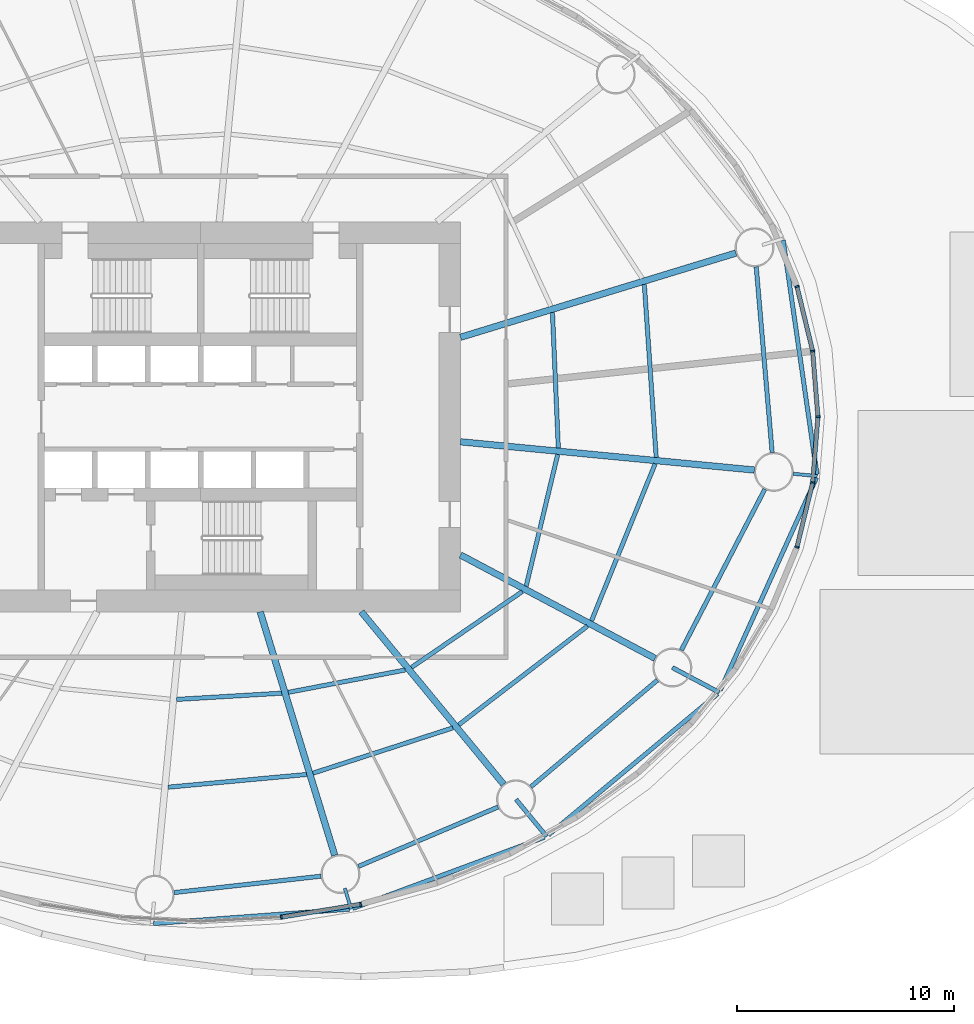
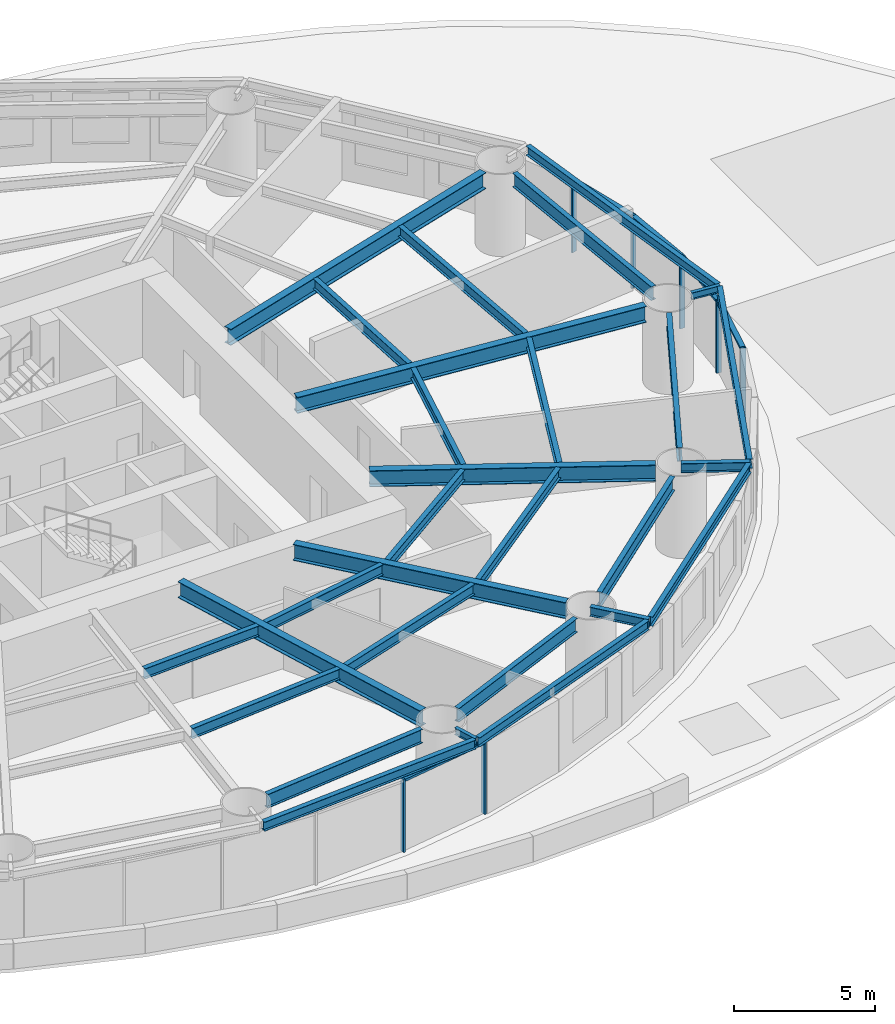
# One storey, part 3 of 11: 29 beams, 12 members, 5 elements without a shape of their own.
"""IFC4 building model written with IfcOpenShell, lengths in metres."""

from ifc_helpers import new_model, si_unit, direction, frame, origin, origin_2d, place, context, subcontext, project, spatial, rectangle, i_section, extrude, material, material_profile, profile_set, type_object, element, aggregate, save


model = new_model("IFC4")

# Units and contexts
model_context = context("Model", 3, precision=1e-05, world=origin(), true_north=direction((0.0, 1.0)))
body_context = subcontext(model_context, "Body", "Model", "MODEL_VIEW")
ifc_project = project(units=[si_unit("LENGTHUNIT", "METRE"), si_unit("AREAUNIT", "SQUARE_METRE"), si_unit("VOLUMEUNIT", "CUBIC_METRE"), si_unit("PLANEANGLEUNIT", "RADIAN"), si_unit("MASSUNIT", "GRAM", prefix="KILO")], contexts=[model_context])

# Site, building, storey
site_placement = place(None, origin())
site = spatial("IfcSite", under=ifc_project, at=site_placement, CompositionType="ELEMENT")
building_placement = place(site_placement, origin())
building = spatial("IfcBuilding", under=site, at=building_placement, Name="Vermilion Reach Broadcast Tower", CompositionType="ELEMENT")
storey_placement = place(building_placement, frame((0.0, 0.0, 36.0)))
storey = spatial("IfcBuildingStorey", under=building, at=storey_placement, Name="L05", CompositionType="ELEMENT", Elevation=36.0)

# Beams
ifc_material_1 = material(Name="Steel S355J2", Category="steel")
ifc_material_profile_1 = material_profile(ifc_material_1, i_section(OverallWidth=0.199951171875, OverallDepth=0.39990234375, WebThickness=0.008056640625, FlangeThickness=0.012939453125, at=origin_2d()), Name="S355J2 HN 400x200x8x13")
ifc_profile_set_1 = profile_set([ifc_material_profile_1], Name="Steel S355J2")
beam_type_1 = type_object("IfcBeamType", Name="EB1 HN 400x200x8x13", PredefinedType="BEAM", material=ifc_profile_set_1)
beam_1_placement = place(storey_placement, frame((-8.173095703125, -23.39306640625, 3.35009765625), z_axis=(0.997329518282, 0.073033088139, 0.0), x_axis=(-0.073033088139, 0.997329518282, 0.0)))
element("IfcBeam", 1, at=beam_1_placement, inside=storey, type_object=beam_type_1, Name="Edge beam EB1-12", PredefinedType="BEAM", context=body_context, shape_type="SweptSolid", body=[
    extrude(i_section(OverallWidth=0.199951171875, OverallDepth=0.39990234375, WebThickness=0.008056640625, FlangeThickness=0.012939453125, at=origin_2d()), origin(), (0.0, 0.0, 1.0), 9.072509765625),
])
beam_2_placement = place(storey_placement, frame((1.0224609375, -22.69873046875, 3.35009765625), z_axis=(0.937481904891, 0.348034018455, 0.0), x_axis=(-0.348034018455, 0.937481904891, 0.0)))
element("IfcBeam", 2, at=beam_2_placement, inside=storey, type_object=beam_type_1, Name="Edge beam EB1-13", PredefinedType="BEAM", context=body_context, shape_type="SweptSolid", body=[
    extrude(i_section(OverallWidth=0.199951171875, OverallDepth=0.39990234375, WebThickness=0.008056640625, FlangeThickness=0.012939453125, at=origin_2d()), origin(), (0.0, 0.0, 1.0), 9.445556640625),
])
beam_3_placement = place(storey_placement, frame((10.053466796875, -19.310546875, 3.35009765625), z_axis=(0.767963452174, 0.640493665952, 0.0), x_axis=(-0.640493665952, 0.767963452174, 0.0)))
element("IfcBeam", 3, at=beam_3_placement, inside=storey, type_object=beam_type_1, Name="Edge beam EB1-14", PredefinedType="BEAM", context=body_context, shape_type="SweptSolid", body=[
    extrude(i_section(OverallWidth=0.199951171875, OverallDepth=0.39990234375, WebThickness=0.008056640625, FlangeThickness=0.012939453125, at=origin_2d()), origin(), (0.0, 0.0, 1.0), 10.170166015625),
])
beam_4_placement = place(storey_placement, frame((17.988037109375, -12.635986328125, 3.35009765625), z_axis=(0.412296695389, 0.911049633649, 0.0), x_axis=(-0.911049633649, 0.412296695389, 0.0)))
element("IfcBeam", 4, at=beam_4_placement, inside=storey, type_object=beam_type_1, Name="Edge beam EB1-15", PredefinedType="BEAM", context=body_context, shape_type="SweptSolid", body=[
    extrude(i_section(OverallWidth=0.199951171875, OverallDepth=0.39990234375, WebThickness=0.008056640625, FlangeThickness=0.012939453125, at=origin_2d()), origin(), (0.0, 0.0, 1.0), 10.787109375),
])
beam_5_placement = place(storey_placement, frame((22.45703125, -2.65966796875, 3.35009765625), z_axis=(-0.142842030525, 0.98974549977, 0.0), x_axis=(-0.98974549977, -0.142842030525, 0.0)))
element("IfcBeam", 5, at=beam_5_placement, inside=storey, type_object=beam_type_1, Name="Edge beam EB1-16", PredefinedType="BEAM", context=body_context, shape_type="SweptSolid", body=[
    extrude(i_section(OverallWidth=0.199951171875, OverallDepth=0.39990234375, WebThickness=0.008056640625, FlangeThickness=0.012939453125, at=origin_2d()), origin(), (0.0, 0.0, 1.0), 10.921630859375),
])
ifc_material_2 = material(Name="Steel S355J2", Category="steel")
ifc_material_profile_2 = material_profile(ifc_material_2, i_section(OverallWidth=0.300048828125, OverallDepth=0.699951171875, WebThickness=0.012939453125, FlangeThickness=0.02392578125, at=origin_2d()), Name="S355J2 HN 700x300x13x24")
ifc_profile_set_2 = profile_set([ifc_material_profile_2], Name="Steel S355J2")
beam_type_2 = type_object("IfcBeamType", Name="G1 HN 700x300x13x24", PredefinedType="BEAM", material=ifc_profile_set_2)
beam_6_placement = place(storey_placement, frame((6.0, 3.671142578125, 3.199951171875), z_axis=(0.956255735186, 0.292531996409, 0.0), x_axis=(-0.292531996409, 0.956255735186, 0.0)))
element("IfcBeam", 6, at=beam_6_placement, inside=storey, type_object=beam_type_2, Name="Girder G1-01", PredefinedType="BEAM", context=body_context, shape_type="SweptSolid", body=[
    extrude(i_section(OverallWidth=0.300048828125, OverallDepth=0.699951171875, WebThickness=0.012939453125, FlangeThickness=0.02392578125, at=origin_2d()), origin(), (0.0, 0.0, 1.0), 13.29638671875),
])
beam_7_placement = place(storey_placement, frame((-3.246826171875, -9.0, 3.199951171875), z_axis=(0.292542302886, -0.95625258223, 0.0), x_axis=(0.95625258223, 0.292542302886, 0.0)))
element("IfcBeam", 7, at=beam_7_placement, inside=storey, type_object=beam_type_2, Name="Girder G1-13", PredefinedType="BEAM", context=body_context, shape_type="SweptSolid", body=[
    extrude(i_section(OverallWidth=0.300048828125, OverallDepth=0.699951171875, WebThickness=0.012939453125, FlangeThickness=0.02392578125, at=origin_2d()), origin(), (0.0, 0.0, 1.0), 11.76220703125),
])
beam_8_placement = place(storey_placement, frame((1.421630859375, -9.0, 3.199951171875), z_axis=(0.636215165107, -0.77151167437, 0.0), x_axis=(0.77151167437, 0.636215165107, 0.0)))
element("IfcBeam", 8, at=beam_8_placement, inside=storey, type_object=beam_type_2, Name="Girder G1-14", PredefinedType="BEAM", context=body_context, shape_type="SweptSolid", body=[
    extrude(i_section(OverallWidth=0.300048828125, OverallDepth=0.699951171875, WebThickness=0.012939453125, FlangeThickness=0.02392578125, at=origin_2d()), origin(), (0.0, 0.0, 1.0), 10.3251953125),
])
beam_9_placement = place(storey_placement, frame((6.0, -6.3779296875, 3.199951171875), z_axis=(0.883032139419, -0.469312519279, 0.0), x_axis=(0.469312519279, 0.883032139419, 0.0)))
element("IfcBeam", 9, at=beam_9_placement, inside=storey, type_object=beam_type_2, Name="Girder G1-15", PredefinedType="BEAM", context=body_context, shape_type="SweptSolid", body=[
    extrude(i_section(OverallWidth=0.300048828125, OverallDepth=0.699951171875, WebThickness=0.012939453125, FlangeThickness=0.02392578125, at=origin_2d()), origin(), (0.0, 0.0, 1.0), 10.17529296875),
])
beam_10_placement = place(storey_placement, frame((6.0, -1.1533203125, 3.199951171875), z_axis=(0.995412178872, -0.095679643363, 0.0), x_axis=(0.095679643363, 0.995412178872, 0.0)))
element("IfcBeam", 10, at=beam_10_placement, inside=storey, type_object=beam_type_2, Name="Girder G1-16", PredefinedType="BEAM", context=body_context, shape_type="SweptSolid", body=[
    extrude(i_section(OverallWidth=0.300048828125, OverallDepth=0.699951171875, WebThickness=0.012939453125, FlangeThickness=0.02392578125, at=origin_2d()), origin(), (0.0, 0.0, 1.0), 13.630859375),
])
ifc_material_3 = material(Name="Steel S355J2", Category="steel")
ifc_material_profile_3 = material_profile(ifc_material_3, i_section(OverallWidth=0.199951171875, OverallDepth=0.39990234375, WebThickness=0.008056640625, FlangeThickness=0.012939453125, at=origin_2d()), Name="S355J2 HN 400x200x8x13")
ifc_profile_set_3 = profile_set([ifc_material_profile_3], Name="Steel S355J2")
beam_type_3 = type_object("IfcBeamType", Name="GC1 HN 400x200x8x13", PredefinedType="BEAM", material=ifc_profile_set_3)
beam_11_placement = place(storey_placement, frame((8.563232421875, -17.660400390625, 3.35009765625), z_axis=(0.636230926771, -0.771498676487, 0.0), x_axis=(0.771498676487, 0.636230926771, 0.0)))
element("IfcBeam", 11, at=beam_11_placement, inside=storey, type_object=beam_type_3, Name="Cantilever girder GC1-14", PredefinedType="BEAM", context=body_context, shape_type="SweptSolid", body=[
    extrude(i_section(OverallWidth=0.199951171875, OverallDepth=0.39990234375, WebThickness=0.008056640625, FlangeThickness=0.012939453125, at=origin_2d()), origin(), (0.0, 0.0, 1.0), 2.2216796875),
])
beam_12_placement = place(storey_placement, frame((15.77978515625, -11.57568359375, 3.35009765625), z_axis=(0.88304872895, -0.469281304017, 0.0), x_axis=(0.469281304017, 0.88304872895, 0.0)))
element("IfcBeam", 12, at=beam_12_placement, inside=storey, type_object=beam_type_3, Name="Cantilever girder GC1-15", PredefinedType="BEAM", context=body_context, shape_type="SweptSolid", body=[
    extrude(i_section(OverallWidth=0.199951171875, OverallDepth=0.39990234375, WebThickness=0.008056640625, FlangeThickness=0.012939453125, at=origin_2d()), origin(), (0.0, 0.0, 1.0), 2.4541015625),
])
ifc_material_4 = material(Name="Steel S355J2", Category="steel")
ifc_material_profile_4 = material_profile(ifc_material_4, i_section(OverallWidth=0.14990234375, OverallDepth=0.300048828125, WebThickness=0.006591796875, FlangeThickness=0.009033203125, at=origin_2d()), Name="S355J2 HN 300x150x6.5x9")
ifc_profile_set_4 = profile_set([ifc_material_profile_4], Name="Steel S355J2")
beam_type_4 = type_object("IfcBeamType", Name="GS1 HN 300x150x6.5x9", PredefinedType="BEAM", material=ifc_profile_set_4)
beam_13_placement = place(storey_placement, frame((0.659423828125, -21.768798828125, 3.39990234375), z_axis=(0.29276438962, -0.956184611971, 0.0), x_axis=(0.956184611971, 0.29276438962, 0.0)))
element("IfcBeam", 13, at=beam_13_placement, inside=storey, type_object=beam_type_4, Name="Cantilever stub GS1-13", PredefinedType="BEAM", context=body_context, shape_type="SweptSolid", body=[
    extrude(i_section(OverallWidth=0.14990234375, OverallDepth=0.300048828125, WebThickness=0.006591796875, FlangeThickness=0.009033203125, at=origin_2d()), origin(), (0.0, 0.0, 1.0), 0.999755859375),
])
beam_14_placement = place(storey_placement, frame((21.360107421875, -2.629638671875, 3.39990234375), z_axis=(0.995418265902, -0.095616295205, 0.0), x_axis=(0.095616295205, 0.995418265902, 0.0)))
element("IfcBeam", 14, at=beam_14_placement, inside=storey, type_object=beam_type_4, Name="Cantilever stub GS1-16", PredefinedType="BEAM", context=body_context, shape_type="SweptSolid", body=[
    extrude(i_section(OverallWidth=0.14990234375, OverallDepth=0.300048828125, WebThickness=0.006591796875, FlangeThickness=0.009033203125, at=origin_2d()), origin(), (0.0, 0.0, 1.0), 1.11328125),
])
ifc_material_5 = material(Name="Steel S355J2", Category="steel")
ifc_material_profile_5 = material_profile(ifc_material_5, i_section(OverallWidth=0.199951171875, OverallDepth=0.60009765625, WebThickness=0.010986328125, FlangeThickness=0.01708984375, at=origin_2d()), Name="S355J2 HN 600x200x11x17")
ifc_profile_set_5 = profile_set([ifc_material_profile_5], Name="Steel S355J2")
beam_type_5 = type_object("IfcBeamType", Name="RB1 HN 600x200x11x17", PredefinedType="BEAM", material=ifc_profile_set_5)
beam_15_placement = place(storey_placement, frame((-7.22607421875, -21.964111328125, 3.25), z_axis=(0.993851439324, 0.110721798009, 0.0), x_axis=(-0.110721798009, 0.993851439324, 0.0)))
element("IfcBeam", 15, at=beam_15_placement, inside=storey, type_object=beam_type_5, Name="Ring beam RB1-12", PredefinedType="BEAM", context=body_context, shape_type="SweptSolid", body=[
    extrude(i_section(OverallWidth=0.199951171875, OverallDepth=0.60009765625, WebThickness=0.010986328125, FlangeThickness=0.01708984375, at=origin_2d()), origin(), (0.0, 0.0, 1.0), 6.8310546875),
])
beam_16_placement = place(storey_placement, frame((1.28564453125, -20.755859375, 3.25), z_axis=(0.920220846584, 0.391399531825, 0.0), x_axis=(-0.391399531825, 0.920220846584, 0.0)))
element("IfcBeam", 16, at=beam_16_placement, inside=storey, type_object=beam_type_5, Name="Ring beam RB1-13", PredefinedType="BEAM", context=body_context, shape_type="SweptSolid", body=[
    extrude(i_section(OverallWidth=0.199951171875, OverallDepth=0.60009765625, WebThickness=0.010986328125, FlangeThickness=0.01708984375, at=origin_2d()), origin(), (0.0, 0.0, 1.0), 7.008544921875),
])
beam_17_placement = place(storey_placement, frame((9.251220703125, -17.080322265625, 3.25), z_axis=(0.764512441084, 0.6446089725, 0.0), x_axis=(-0.6446089725, 0.764512441084, 0.0)))
element("IfcBeam", 17, at=beam_17_placement, inside=storey, type_object=beam_type_5, Name="Ring beam RB1-14", PredefinedType="BEAM", context=body_context, shape_type="SweptSolid", body=[
    extrude(i_section(OverallWidth=0.199951171875, OverallDepth=0.60009765625, WebThickness=0.010986328125, FlangeThickness=0.01708984375, at=origin_2d()), origin(), (0.0, 0.0, 1.0), 7.6396484375),
])
beam_18_placement = place(storey_placement, frame((16.194091796875, -10.776611328125, 3.25), z_axis=(0.460411617218, 0.887705549566, 0.0), x_axis=(-0.887705549566, 0.460411617218, 0.0)))
element("IfcBeam", 18, at=beam_18_placement, inside=storey, type_object=beam_type_5, Name="Ring beam RB1-15", PredefinedType="BEAM", context=body_context, shape_type="SweptSolid", body=[
    extrude(i_section(OverallWidth=0.199951171875, OverallDepth=0.60009765625, WebThickness=0.010986328125, FlangeThickness=0.01708984375, at=origin_2d()), origin(), (0.0, 0.0, 1.0), 8.37451171875),
])
beam_19_placement = place(storey_placement, frame((20.38720703125, -1.646728515625, 3.25), z_axis=(-0.085395508608, 0.996347131832, 0.0), x_axis=(-0.996347131832, -0.085395508608, 0.0)))
element("IfcBeam", 19, at=beam_19_placement, inside=storey, type_object=beam_type_5, Name="Ring beam RB1-16", PredefinedType="BEAM", context=body_context, shape_type="SweptSolid", body=[
    extrude(i_section(OverallWidth=0.199951171875, OverallDepth=0.60009765625, WebThickness=0.010986328125, FlangeThickness=0.01708984375, at=origin_2d()), origin(), (0.0, 0.0, 1.0), 8.60546875),
])
ifc_material_6 = material(Name="Steel S355J2", Category="steel")
ifc_material_profile_6 = material_profile(ifc_material_6, i_section(OverallWidth=0.199951171875, OverallDepth=0.449951171875, WebThickness=0.009033203125, FlangeThickness=0.013916015625, at=origin_2d()), Name="S355J2 HN 450x200x9x14")
ifc_profile_set_6 = profile_set([ifc_material_profile_6], Name="Steel S355J2")
beam_type_6 = type_object("IfcBeamType", Name="SB1 HN 450x200x9x14", PredefinedType="BEAM", material=ifc_profile_set_6)
beam_20_placement = place(storey_placement, frame((-7.103271484375, -13.046875, 3.324951171875), z_axis=(0.99823410974, 0.059402543307, 0.0), x_axis=(-0.059402543307, 0.99823410974, 0.0)))
element("IfcBeam", 20, at=beam_20_placement, inside=storey, type_object=beam_type_6, Name="Secondary beam SB1-12-1", PredefinedType="BEAM", context=body_context, shape_type="SweptSolid", body=[
    extrude(i_section(OverallWidth=0.199951171875, OverallDepth=0.449951171875, WebThickness=0.009033203125, FlangeThickness=0.013916015625, at=origin_2d()), origin(), (0.0, 0.0, 1.0), 4.85791015625),
])
beam_21_placement = place(storey_placement, frame((-7.49267578125, -17.09814453125, 3.324951171875), z_axis=(0.995818616382, 0.091352521952, 0.0), x_axis=(-0.091352521952, 0.995818616382, 0.0)))
element("IfcBeam", 21, at=beam_21_placement, inside=storey, type_object=beam_type_6, Name="Secondary beam SB1-12-2", PredefinedType="BEAM", context=body_context, shape_type="SweptSolid", body=[
    extrude(i_section(OverallWidth=0.199951171875, OverallDepth=0.449951171875, WebThickness=0.009033203125, FlangeThickness=0.013916015625, at=origin_2d()), origin(), (0.0, 0.0, 1.0), 6.4140625),
])
beam_22_placement = place(storey_placement, frame((-1.95166015625, -12.720703125, 3.324951171875), z_axis=(0.982151348822, 0.188092339045, 0.0), x_axis=(-0.188092339045, 0.982151348822, 0.0)))
element("IfcBeam", 22, at=beam_22_placement, inside=storey, type_object=beam_type_6, Name="Secondary beam SB1-13-1", PredefinedType="BEAM", context=body_context, shape_type="SweptSolid", body=[
    extrude(i_section(OverallWidth=0.199951171875, OverallDepth=0.449951171875, WebThickness=0.009033203125, FlangeThickness=0.013916015625, at=origin_2d()), origin(), (0.0, 0.0, 1.0), 5.4931640625),
])
beam_23_placement = place(storey_placement, frame((-0.81005859375, -16.4521484375, 3.324951171875), z_axis=(0.951332300844, 0.308166924523, 0.0), x_axis=(-0.308166924523, 0.951332300844, 0.0)))
element("IfcBeam", 23, at=beam_23_placement, inside=storey, type_object=beam_type_6, Name="Secondary beam SB1-13-2", PredefinedType="BEAM", context=body_context, shape_type="SweptSolid", body=[
    extrude(i_section(OverallWidth=0.199951171875, OverallDepth=0.449951171875, WebThickness=0.009033203125, FlangeThickness=0.013916015625, at=origin_2d()), origin(), (0.0, 0.0, 1.0), 6.787841796875),
])
beam_24_placement = place(storey_placement, frame((3.735595703125, -11.5703125, 3.324951171875), z_axis=(0.825140253447, 0.564927926502, 0.0), x_axis=(-0.564927926502, 0.825140253447, 0.0)))
element("IfcBeam", 24, at=beam_24_placement, inside=storey, type_object=beam_type_6, Name="Secondary beam SB1-14-1", PredefinedType="BEAM", context=body_context, shape_type="SweptSolid", body=[
    extrude(i_section(OverallWidth=0.199951171875, OverallDepth=0.449951171875, WebThickness=0.009033203125, FlangeThickness=0.013916015625, at=origin_2d()), origin(), (0.0, 0.0, 1.0), 6.20458984375),
])
beam_25_placement = place(storey_placement, frame((5.920166015625, -14.21923828125, 3.324951171875), z_axis=(0.793349617473, 0.60876628065, 0.0), x_axis=(-0.60876628065, 0.793349617473, 0.0)))
element("IfcBeam", 25, at=beam_25_placement, inside=storey, type_object=beam_type_6, Name="Secondary beam SB1-14-2", PredefinedType="BEAM", context=body_context, shape_type="SweptSolid", body=[
    extrude(i_section(OverallWidth=0.199951171875, OverallDepth=0.449951171875, WebThickness=0.009033203125, FlangeThickness=0.013916015625, at=origin_2d()), origin(), (0.0, 0.0, 1.0), 7.486328125),
])
beam_26_placement = place(storey_placement, frame((9.031005859375, -7.81884765625, 3.324951171875), z_axis=(0.232844467589, 0.972513986487, 0.0), x_axis=(-0.972513986487, 0.232844467589, 0.0)))
element("IfcBeam", 26, at=beam_26_placement, inside=storey, type_object=beam_type_6, Name="Secondary beam SB1-15-1", PredefinedType="BEAM", context=body_context, shape_type="SweptSolid", body=[
    extrude(i_section(OverallWidth=0.199951171875, OverallDepth=0.449951171875, WebThickness=0.009033203125, FlangeThickness=0.013916015625, at=origin_2d()), origin(), (0.0, 0.0, 1.0), 6.25537109375),
])
beam_27_placement = place(storey_placement, frame((12.046630859375, -9.421630859375, 3.324951171875), z_axis=(0.375640669938, 0.926765389453, 0.0), x_axis=(-0.926765389453, 0.375640669938, 0.0)))
element("IfcBeam", 27, at=beam_27_placement, inside=storey, type_object=beam_type_6, Name="Secondary beam SB1-15-2", PredefinedType="BEAM", context=body_context, shape_type="SweptSolid", body=[
    extrude(i_section(OverallWidth=0.199951171875, OverallDepth=0.449951171875, WebThickness=0.009033203125, FlangeThickness=0.013916015625, at=origin_2d()), origin(), (0.0, 0.0, 1.0), 7.8271484375),
])
beam_28_placement = place(storey_placement, frame((10.51611328125, -1.436767578125, 3.324951171875), z_axis=(-0.043361007512, 0.999059469215, 0.0), x_axis=(-0.999059469215, -0.043361007512, 0.0)))
element("IfcBeam", 28, at=beam_28_placement, inside=storey, type_object=beam_type_6, Name="Secondary beam SB1-16-1", PredefinedType="BEAM", context=body_context, shape_type="SweptSolid", body=[
    extrude(i_section(OverallWidth=0.199951171875, OverallDepth=0.449951171875, WebThickness=0.009033203125, FlangeThickness=0.013916015625, at=origin_2d()), origin(), (0.0, 0.0, 1.0), 6.25537109375),
])
beam_29_placement = place(storey_placement, frame((15.03515625, -1.87109375, 3.324951171875), z_axis=(-0.068507801475, 0.997650580683, 0.0), x_axis=(-0.997650580683, -0.068507801475, 0.0)))
element("IfcBeam", 29, at=beam_29_placement, inside=storey, type_object=beam_type_6, Name="Secondary beam SB1-16-2", PredefinedType="BEAM", context=body_context, shape_type="SweptSolid", body=[
    extrude(i_section(OverallWidth=0.199951171875, OverallDepth=0.449951171875, WebThickness=0.009033203125, FlangeThickness=0.013916015625, at=origin_2d()), origin(), (0.0, 0.0, 1.0), 8.00048828125),
])

# Curtain wall, member
ifc_material_7 = material(Name="Low-e laminated clear glass in aluminium frame", Category="aluminium")
curtain_wall_type = type_object("IfcCurtainWallType", Name="Slot curtain wall", PredefinedType="NOTDEFINED", material=ifc_material_7)
placement = place(storey_placement, origin())
curtain_wall_1 = element("IfcCurtainWall", 30, at=placement, inside=storey, type_object=curtain_wall_type, Name="Slot curtain wall L05 46", PredefinedType="NOTDEFINED")
ifc_material_8 = material(Name="Anodised aluminium", Category="aluminium")
ifc_material_profile_7 = material_profile(ifc_material_8, rectangle(XDim=0.199951171875, YDim=0.080078125, at=origin_2d()), Name="Slot mullion 80 x 200")
ifc_profile_set_7 = profile_set([ifc_material_profile_7], Name="Anodised aluminium")
member_type_1 = type_object("IfcMemberType", Name="Slot mullion 80 x 200", PredefinedType="MULLION", material=ifc_profile_set_7)
member_1_placement = place(storey_placement, frame((21.533447265625, -6.014892578125, 0.0), z_axis=(0.0, 0.0, 1.0), x_axis=(-0.950659732599, 0.310235511852, 0.0)))
member_1 = element("IfcMember", 31, at=member_1_placement, type_object=member_type_1, Name="Slot mullion L05 46", PredefinedType="MULLION", context=body_context, shape_type="SweptSolid", body=[
    extrude(rectangle(XDim=0.199951171875, YDim=0.080078125, at=origin_2d()), origin(), (0.0, 0.0, 1.0), 3.14990234375),
])

curtain_wall_2 = element("IfcCurtainWall", 32, at=placement, inside=storey, type_object=curtain_wall_type, Name="Slot curtain wall L05 47", PredefinedType="NOTDEFINED")
member_2_placement = place(storey_placement, frame((22.25732421875, -3.03271484375, 0.0), z_axis=(0.0, 0.0, 1.0), x_axis=(-0.987389302651, 0.158310975649, 0.0)))
member_2 = element("IfcMember", 33, at=member_2_placement, type_object=member_type_1, Name="Slot mullion L05 47", PredefinedType="MULLION", context=body_context, shape_type="SweptSolid", body=[
    extrude(rectangle(XDim=0.199951171875, YDim=0.080078125, at=origin_2d()), origin(), (0.0, 0.0, 1.0), 3.14990234375),
])

curtain_wall_3 = element("IfcCurtainWall", 34, at=placement, inside=storey, type_object=curtain_wall_type, Name="Slot curtain wall L05 00", PredefinedType="NOTDEFINED")
member_3_placement = place(storey_placement, frame((22.5, 0.0, 0.0), z_axis=(0.0, 0.0, 1.0), x_axis=(-1.0, 0.0, 0.0)))
member_3 = element("IfcMember", 35, at=member_3_placement, type_object=member_type_1, Name="Slot mullion L05 00", PredefinedType="MULLION", context=body_context, shape_type="SweptSolid", body=[
    extrude(rectangle(XDim=0.199951171875, YDim=0.080078125, at=origin_2d()), origin(), (0.0, 0.0, 1.0), 3.14990234375),
])

# Curtain wall, members
curtain_wall_4 = element("IfcCurtainWall", 36, at=placement, inside=storey, type_object=curtain_wall_type, Name="Slot curtain wall L05 01", PredefinedType="NOTDEFINED")
member_4_placement = place(storey_placement, frame((22.25732421875, 3.03271484375, 0.0), z_axis=(0.0, 0.0, 1.0), x_axis=(-0.987389302651, -0.158310975649, 0.0)))
member_4 = element("IfcMember", 37, at=member_4_placement, type_object=member_type_1, Name="Slot mullion L05 01", PredefinedType="MULLION", context=body_context, shape_type="SweptSolid", body=[
    extrude(rectangle(XDim=0.199951171875, YDim=0.080078125, at=origin_2d()), origin(), (0.0, 0.0, 1.0), 3.14990234375),
])
member_5_placement = place(storey_placement, frame((21.533447265625, 6.014892578125, 0.0), z_axis=(0.0, 0.0, 1.0), x_axis=(-0.950659732599, -0.310235511852, 0.0)))
member_5 = element("IfcMember", 38, at=member_5_placement, type_object=member_type_1, Name="Slot mullion L05 02", PredefinedType="MULLION", context=body_context, shape_type="SweptSolid", body=[
    extrude(rectangle(XDim=0.199951171875, YDim=0.080078125, at=origin_2d()), origin(), (0.0, 0.0, 1.0), 3.14990234375),
])

curtain_wall_5 = element("IfcCurtainWall", 39, at=placement, inside=storey, type_object=curtain_wall_type, Name="Slot curtain wall L05 37", PredefinedType="NOTDEFINED")
member_6_placement = place(storey_placement, frame((-2.27294921875, -23.099853515625, 0.0), z_axis=(0.0, 0.0, 1.0), x_axis=(-0.10740822796, 0.994215003189, 0.0)))
member_6 = element("IfcMember", 40, at=member_6_placement, type_object=member_type_1, Name="Slot mullion L05 37", PredefinedType="MULLION", context=body_context, shape_type="SweptSolid", body=[
    extrude(rectangle(XDim=0.199951171875, YDim=0.080078125, at=origin_2d()), origin(), (0.0, 0.0, 1.0), 3.14990234375),
])
member_7_placement = place(storey_placement, frame((1.3896484375, -22.5029296875, 0.0), z_axis=(0.0, 0.0, 1.0), x_axis=(-0.214752382861, 0.97666852824, 0.0)))
member_7 = element("IfcMember", 41, at=member_7_placement, type_object=member_type_1, Name="Slot mullion L05 38", PredefinedType="MULLION", context=body_context, shape_type="SweptSolid", body=[
    extrude(rectangle(XDim=0.199951171875, YDim=0.080078125, at=origin_2d()), origin(), (0.0, 0.0, 1.0), 3.14990234375),
])

# Member
ifc_material_9 = material(Name="Anodised aluminium", Category="aluminium")
ifc_material_profile_8 = material_profile(ifc_material_9, rectangle(XDim=0.199951171875, YDim=0.10009765625, at=origin_2d()), Name="Slot transom 200 x 100")
ifc_profile_set_8 = profile_set([ifc_material_profile_8], Name="Anodised aluminium")
member_type_2 = type_object("IfcMemberType", Name="Slot transom 200 x 100", PredefinedType="USERDEFINED", material=ifc_profile_set_8)
member_8_placement = place(storey_placement, frame((21.54296875, -5.97607421875, 3.10009765625), z_axis=(0.235917983929, 0.971772969813, 0.0), x_axis=(-0.971772969813, 0.235917983929, 0.0)))
member_8 = element("IfcMember", 42, at=member_8_placement, type_object=member_type_2, Name="Slot transom L05 46.1", ObjectType="TRANSOM", PredefinedType="USERDEFINED", context=body_context, shape_type="SweptSolid", body=[
    extrude(rectangle(XDim=0.199951171875, YDim=0.10009765625, at=origin_2d()), origin(), (0.0, 0.0, 1.0), 2.98876953125),
])

aggregate(curtain_wall_1, [member_1, member_8])

member_9_placement = place(storey_placement, frame((22.260498046875, -2.992919921875, 3.10009765625), z_axis=(0.079771425275, 0.99681318195, 0.0), x_axis=(-0.99681318195, 0.079771425275, 0.0)))
member_9 = element("IfcMember", 43, at=member_9_placement, type_object=member_type_2, Name="Slot transom L05 47.1", ObjectType="TRANSOM", PredefinedType="USERDEFINED", context=body_context, shape_type="SweptSolid", body=[
    extrude(rectangle(XDim=0.199951171875, YDim=0.10009765625, at=origin_2d()), origin(), (0.0, 0.0, 1.0), 2.962646484375),
])

aggregate(curtain_wall_2, [member_2, member_9])

member_10_placement = place(storey_placement, frame((22.496826171875, 0.039794921875, 3.10009765625), z_axis=(-0.079771425275, 0.99681318195, 0.0), x_axis=(-0.99681318195, -0.079771425275, 0.0)))
member_10 = element("IfcMember", 44, at=member_10_placement, type_object=member_type_2, Name="Slot transom L05 00.1", ObjectType="TRANSOM", PredefinedType="USERDEFINED", context=body_context, shape_type="SweptSolid", body=[
    extrude(rectangle(XDim=0.199951171875, YDim=0.10009765625, at=origin_2d()), origin(), (0.0, 0.0, 1.0), 2.962646484375),
])

aggregate(curtain_wall_3, [member_3, member_10])

member_11_placement = place(storey_placement, frame((22.248046875, 3.07177734375, 3.10009765625), z_axis=(-0.235917983929, 0.971772969813, 0.0), x_axis=(-0.971772969813, -0.235917983929, 0.0)))
member_11 = element("IfcMember", 45, at=member_11_placement, type_object=member_type_2, Name="Slot transom L05 01.1", ObjectType="TRANSOM", PredefinedType="USERDEFINED", context=body_context, shape_type="SweptSolid", body=[
    extrude(rectangle(XDim=0.199951171875, YDim=0.10009765625, at=origin_2d()), origin(), (0.0, 0.0, 1.0), 2.98876953125),
])

aggregate(curtain_wall_4, [member_4, member_5, member_11])

member_12_placement = place(storey_placement, frame((-2.233642578125, -23.093505859375, 3.10009765625), z_axis=(0.986971040368, 0.160897997112, 0.0), x_axis=(-0.160897997112, 0.986971040368, 0.0)))
member_12 = element("IfcMember", 46, at=member_12_placement, type_object=member_type_2, Name="Slot transom L05 37.1", ObjectType="TRANSOM", PredefinedType="USERDEFINED", context=body_context, shape_type="SweptSolid", body=[
    extrude(rectangle(XDim=0.199951171875, YDim=0.10009765625, at=origin_2d()), origin(), (0.0, 0.0, 1.0), 3.631103515625),
])

aggregate(curtain_wall_5, [member_6, member_7, member_12])

save(model, "model.ifc")
